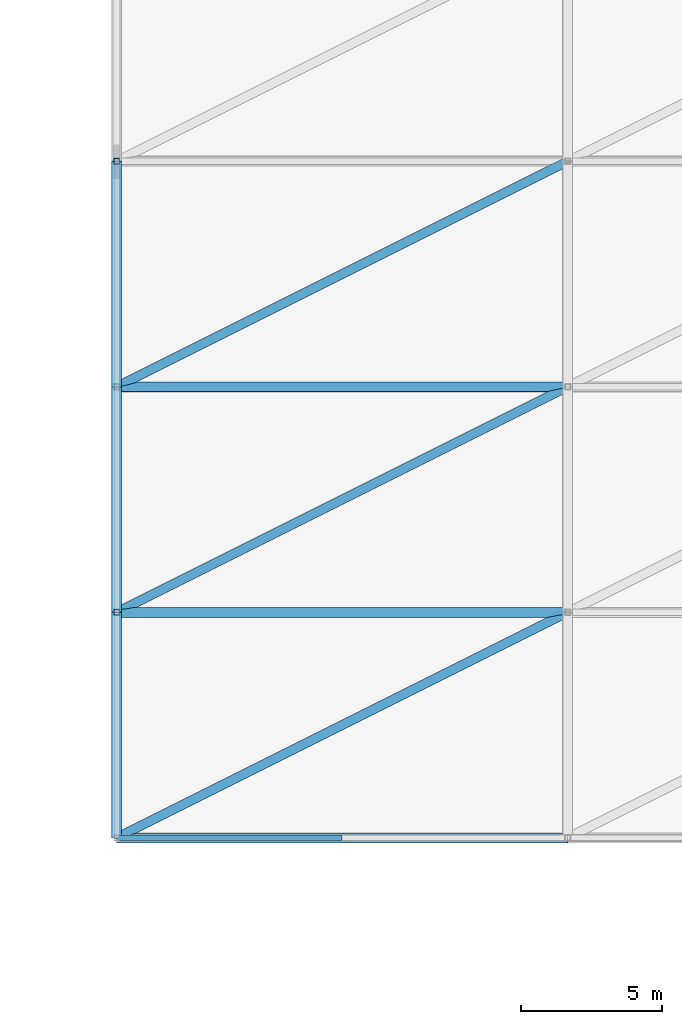
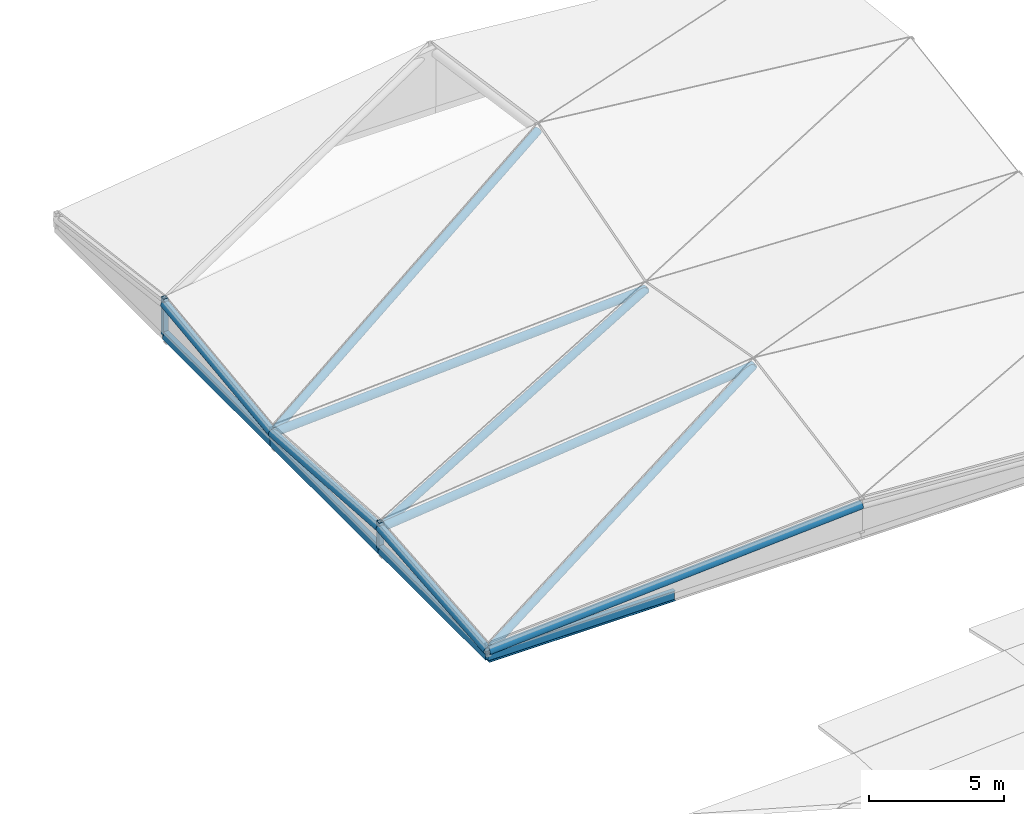
# One storey, part 10 of 44: 10 beams, 5 members.
"""IFC4 building model written with IfcOpenShell, lengths in metres."""

from ifc_helpers import new_model, si_unit, direction, frame, origin, origin_2d, place, context, subcontext, project, spatial, hollow_rectangle, hollow_circle, i_section, extrude, material, material_profile, profile_set, type_object, element, save


model = new_model("IFC4")

# Units and contexts
model_context = context("Model", 3, precision=1e-05, world=origin(), true_north=direction((0.0, 1.0)))
body_context = subcontext(model_context, "Body", "Model", "MODEL_VIEW")
ifc_project = project(units=[si_unit("LENGTHUNIT", "METRE"), si_unit("AREAUNIT", "SQUARE_METRE"), si_unit("VOLUMEUNIT", "CUBIC_METRE"), si_unit("PLANEANGLEUNIT", "RADIAN"), si_unit("MASSUNIT", "GRAM", prefix="KILO")], contexts=[model_context])

# Site, building, storey
site_placement = place(None, origin())
site = spatial("IfcSite", under=ifc_project, at=site_placement, CompositionType="ELEMENT")
building_placement = place(site_placement, origin())
building = spatial("IfcBuilding", under=site, at=building_placement, Name="Tenunan Teduh Sports Hall", CompositionType="ELEMENT")
storey_placement = place(building_placement, frame((0.0, 0.0, 19.199951171875)))
storey = spatial("IfcBuildingStorey", under=building, at=storey_placement, Name="L04", CompositionType="ELEMENT", Elevation=19.199951171875)

# Beams
ifc_material_1 = material(Name="Steel S355", Category="steel")
ifc_material_profile_1 = material_profile(ifc_material_1, hollow_circle(Radius=0.177734375, WallThickness=0.012451171875, at=origin_2d()), Name="CHS 355.6x12.5")
ifc_profile_set_1 = profile_set([ifc_material_profile_1], Name="Steel S355")
beam_type_1 = type_object("IfcBeamType", Name="GSB-CHS356", PredefinedType="BEAM", material=ifc_profile_set_1)
beam_1_placement = place(storey_placement, frame((122.0, 46.0, -0.179931640625), z_axis=(0.997974064226, 0.0, 0.063622064824), x_axis=(0.0, 1.0, 0.0)))
element("IfcBeam", 1, at=beam_1_placement, inside=storey, type_object=beam_type_1, Name="Gridshell Vault Arch BM-GR-04-L04-0471", PredefinedType="BEAM", context=body_context, shape_type="SweptSolid", body=[
    extrude(hollow_circle(Radius=0.177734375, WallThickness=0.012451171875, at=origin_2d()), origin(), (0.0, 0.0, 1.0), 16.032470703125),
])
beam_2_placement = place(storey_placement, frame((138.0, 54.0, 2.2900390625), z_axis=(-0.994071691754, 0.0, -0.108726591286), x_axis=(0.0, -1.0, 0.0)))
element("IfcBeam", 2, at=beam_2_placement, inside=storey, type_object=beam_type_1, Name="Gridshell Vault Arch BM-GR-04-L04-0473", PredefinedType="BEAM", context=body_context, shape_type="SweptSolid", body=[
    extrude(hollow_circle(Radius=0.177734375, WallThickness=0.012451171875, at=origin_2d()), origin(), (0.0, 0.0, 1.0), 16.095458984375),
])
beam_3_placement = place(storey_placement, frame((122.0, 54.0, 0.5400390625), z_axis=(0.0, -0.995974764462, -0.089634081433), x_axis=(1.0, 0.0, 0.0)))
element("IfcBeam", 3, at=beam_3_placement, inside=storey, type_object=beam_type_1, Name="Gridshell Vault Arch BM-GR-04-L04-0474", PredefinedType="BEAM", context=body_context, shape_type="SweptSolid", body=[
    extrude(hollow_circle(Radius=0.177734375, WallThickness=0.012451171875, at=origin_2d()), origin(), (0.0, 0.0, 1.0), 8.0322265625),
])
beam_4_placement = place(storey_placement, frame((138.0, 62.0, 0.89013671875), z_axis=(-0.998421200522, 0.0, -0.056170333348), x_axis=(0.0, -1.0, 0.0)))
element("IfcBeam", 4, at=beam_4_placement, inside=storey, type_object=beam_type_1, Name="Gridshell Vault Arch BM-GR-04-L04-0479", PredefinedType="BEAM", context=body_context, shape_type="SweptSolid", body=[
    extrude(hollow_circle(Radius=0.177734375, WallThickness=0.012451171875, at=origin_2d()), origin(), (0.0, 0.0, 1.0), 16.025390625),
])
beam_5_placement = place(storey_placement, frame((122.0, 62.0, -0.010009765625), z_axis=(0.0, -0.997644646858, 0.068594158611), x_axis=(1.0, 0.0, 0.0)))
element("IfcBeam", 5, at=beam_5_placement, inside=storey, type_object=beam_type_1, Name="Gridshell Vault Arch BM-GR-04-L04-0480", PredefinedType="BEAM", context=body_context, shape_type="SweptSolid", body=[
    extrude(hollow_circle(Radius=0.177734375, WallThickness=0.012451171875, at=origin_2d()), origin(), (0.0, 0.0, 1.0), 8.018798828125),
])
beam_6_placement = place(storey_placement, frame((122.0, 70.0, 0.989990234375), z_axis=(0.0, -0.992277876714, -0.124034734589), x_axis=(1.0, 0.0, 0.0)))
element("IfcBeam", 6, at=beam_6_placement, inside=storey, type_object=beam_type_1, Name="Gridshell Vault Arch BM-GR-04-L04-0485", PredefinedType="BEAM", context=body_context, shape_type="SweptSolid", body=[
    extrude(hollow_circle(Radius=0.177734375, WallThickness=0.012451171875, at=origin_2d()), origin(), (0.0, 0.0, 1.0), 8.062255859375),
])

# Members
ifc_material_2 = material(Name="Steel S355", Category="steel")
ifc_material_profile_2 = material_profile(ifc_material_2, hollow_circle(Radius=0.161865234375, WallThickness=0.012451171875, at=origin_2d()), Name="CHS 323.9x12.5")
ifc_profile_set_2 = profile_set([ifc_material_profile_2], Name="Steel S355")
member_type_1 = type_object("IfcMemberType", Name="MEM-CH-CHS324", PredefinedType="CHORD", material=ifc_profile_set_2)
member_1_placement = place(storey_placement, frame((122.0, 46.0, -0.179931640625), z_axis=(0.886021132397, 0.443010566199, 0.136777889961), x_axis=(-0.4472135955, 0.894427191, 0.0)))
element("IfcMember", 7, at=member_1_placement, inside=storey, type_object=member_type_1, Name="MEM-GC-02-L04-0847", PredefinedType="CHORD", context=body_context, shape_type="SweptSolid", body=[
    extrude(hollow_circle(Radius=0.161865234375, WallThickness=0.012451171875, at=origin_2d()), origin(), (0.0, 0.0, 1.0), 18.058349609375),
])
member_2_placement = place(storey_placement, frame((122.0, 54.0, 0.5400390625), z_axis=(0.894255945689, 0.447127972844, 0.019567306917), x_axis=(-0.4472135955, 0.894427191, 0.0)))
element("IfcMember", 8, at=member_2_placement, inside=storey, type_object=member_type_1, Name="MEM-GC-02-L04-0849", PredefinedType="CHORD", context=body_context, shape_type="SweptSolid", body=[
    extrude(hollow_circle(Radius=0.161865234375, WallThickness=0.012451171875, at=origin_2d()), origin(), (0.0, 0.0, 1.0), 17.89208984375),
])
member_3_placement = place(storey_placement, frame((122.0, 62.0, -0.010009765625), z_axis=(0.880021313274, 0.440010656637, 0.178754329259), x_axis=(-0.4472135955, 0.894427191, 0.0)))
element("IfcMember", 9, at=member_3_placement, inside=storey, type_object=member_type_1, Name="MEM-GC-02-L04-0851", PredefinedType="CHORD", context=body_context, shape_type="SweptSolid", body=[
    extrude(hollow_circle(Radius=0.161865234375, WallThickness=0.012451171875, at=origin_2d()), origin(), (0.0, 0.0, 1.0), 18.181396484375),
])
ifc_material_3 = material(Name="Steel S355", Category="steel")
ifc_material_profile_3 = material_profile(ifc_material_3, hollow_rectangle(XDim=0.199951171875, YDim=0.199951171875, WallThickness=0.010009765625, at=origin_2d()), Name="SHS 200x200x10.0")
ifc_profile_set_3 = profile_set([ifc_material_profile_3], Name="Steel S355")
member_type_2 = type_object("IfcMemberType", Name="MEM-ST-SHS200", PredefinedType="STRUT", material=ifc_profile_set_3)
member_4_placement = place(storey_placement, frame((122.0, 54.0, -0.39990234375), z_axis=(0.0, 0.0, 1.0), x_axis=(1.0, 0.0, 0.0)))
element("IfcMember", 10, at=member_4_placement, inside=storey, type_object=member_type_2, Name="MEM-VS-02-L04-0835", PredefinedType="STRUT", context=body_context, shape_type="SweptSolid", body=[
    extrude(hollow_rectangle(XDim=0.199951171875, YDim=0.199951171875, WallThickness=0.010009765625, at=origin_2d()), origin(), (0.0, 0.0, 1.0), 1.239990234375),
])
member_5_placement = place(storey_placement, frame((122.0, 70.0, -0.39990234375), z_axis=(0.0, 0.0, 1.0), x_axis=(1.0, 0.0, 0.0)))
element("IfcMember", 11, at=member_5_placement, inside=storey, type_object=member_type_2, Name="MEM-VS-02-L04-0841", PredefinedType="STRUT", context=body_context, shape_type="SweptSolid", body=[
    extrude(hollow_rectangle(XDim=0.199951171875, YDim=0.199951171875, WallThickness=0.010009765625, at=origin_2d()), origin(), (0.0, 0.0, 1.0), 1.68994140625),
])

# Beams
ifc_material_4 = material(Name="Steel S355", Category="steel")
ifc_material_profile_4 = material_profile(ifc_material_4, hollow_rectangle(XDim=0.199951171875, YDim=0.39990234375, WallThickness=0.012451171875, at=origin_2d()), Name="RHS 400x200x12.5")
ifc_profile_set_4 = profile_set([ifc_material_profile_4], Name="Steel S355")
beam_type_2 = type_object("IfcBeamType", Name="RBM-RHS400", PredefinedType="SPANDREL", material=ifc_profile_set_4)
for number, where, z_axis, x_axis, name in (
    (12, (122.0, 46.0, -0.389892578125), (0.0, 1.0, 0.0), (-1.0, 0.0, 0.0), "Perimeter Ring Beam BM-RB-02-L04-0463"),
    (13, (122.0, 54.0, -0.389892578125), (0.0, 1.0, 0.0), (-1.0, 0.0, 0.0), "Perimeter Ring Beam BM-RB-02-L04-0464"),
    (14, (122.0, 62.0, -0.389892578125), (0.0, 1.0, 0.0), (-1.0, 0.0, 0.0), "Perimeter Ring Beam BM-RB-02-L04-0465"),
):
    element("IfcBeam", number, at=place(storey_placement, frame(where, z_axis=z_axis, x_axis=x_axis)), inside=storey, type_object=beam_type_2, Name=name, PredefinedType="SPANDREL", context=body_context, shape_type="SweptSolid", body=[
        extrude(hollow_rectangle(XDim=0.199951171875, YDim=0.39990234375, WallThickness=0.012451171875, at=origin_2d()), origin(), (0.0, 0.0, 1.0), 8.0),
    ])
ifc_material_5 = material(Name="Steel S355", Category="steel")
ifc_material_profile_5 = material_profile(ifc_material_5, i_section(OverallWidth=0.1904296875, OverallDepth=0.45703125, WebThickness=0.009033203125, FlangeThickness=0.014404296875, FilletRadius=0.01025390625, at=origin_2d()), Name="UKB 457x191x74")
ifc_profile_set_5 = profile_set([ifc_material_profile_5], Name="Steel S355")
beam_type_3 = type_object("IfcBeamType", Name="SBM-UKB457", PredefinedType="BEAM", material=ifc_profile_set_5)
beam_7_placement = place(storey_placement, frame((122.0, 46.0, -0.43994140625), z_axis=(1.0, 0.0, 0.0), x_axis=(0.0, 1.0, 0.0)))
element("IfcBeam", 15, at=beam_7_placement, inside=storey, type_object=beam_type_3, Name="BM-SB-04-L04-0449", PredefinedType="BEAM", context=body_context, shape_type="SweptSolid", body=[
    extrude(i_section(OverallWidth=0.1904296875, OverallDepth=0.45703125, WebThickness=0.009033203125, FlangeThickness=0.014404296875, FilletRadius=0.01025390625, at=origin_2d()), origin(), (0.0, 0.0, 1.0), 8.0),
])

save(model, "model.ifc")
